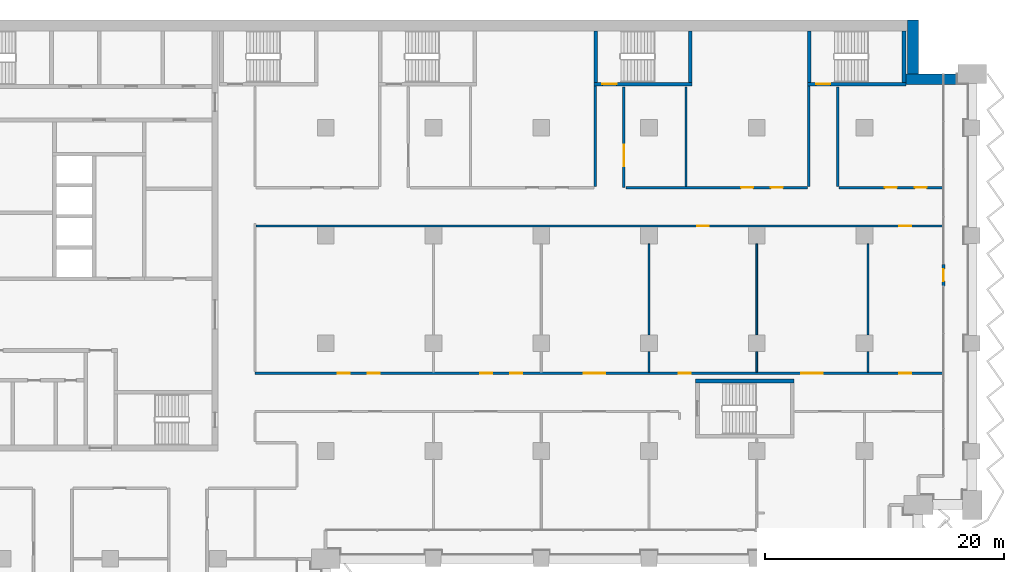
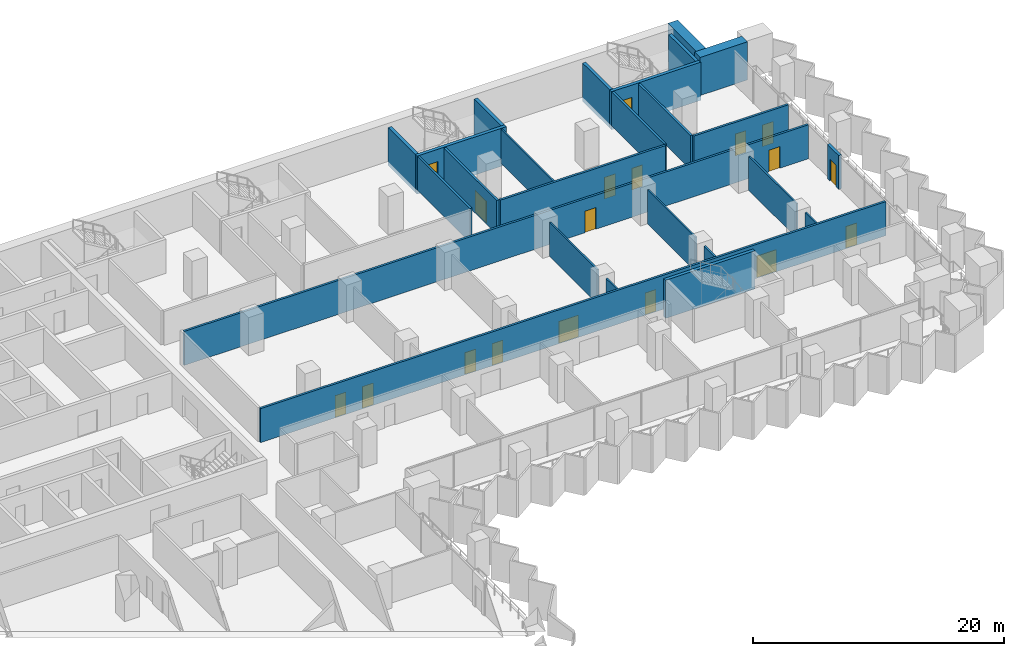
# One storey, part 18 of 28: 25 walls, 18 doors, 18 openings.
"""IFC4 building model written with IfcOpenShell, lengths in metres."""

from ifc_helpers import new_model, si_unit, direction, frame, frame_2d, origin, place, context, subcontext, project, spatial, rectangle, extrude, material, layer, layer_set, type_object, element, fill, save


model = new_model("IFC4")

# Units and contexts
model_context = context("Model", 3, precision=1e-05, world=origin(), true_north=direction((0.0, 1.0)))
body_context = subcontext(model_context, "Body", "Model", "MODEL_VIEW")
ifc_project = project(units=[si_unit("LENGTHUNIT", "METRE"), si_unit("AREAUNIT", "SQUARE_METRE"), si_unit("VOLUMEUNIT", "CUBIC_METRE"), si_unit("PLANEANGLEUNIT", "RADIAN"), si_unit("MASSUNIT", "GRAM", prefix="KILO")], contexts=[model_context])

# Site, building, storey
site_placement = place(None, origin())
site = spatial("IfcSite", under=ifc_project, at=site_placement, CompositionType="ELEMENT")
building_placement = place(site_placement, origin())
building = spatial("IfcBuilding", under=site, at=building_placement, Name="Hunhe Ridgeline Campus", CompositionType="ELEMENT")
storey_placement = place(building_placement, frame((0.0, 0.0, 61.699951171875)))
storey = spatial("IfcBuildingStorey", under=building, at=storey_placement, Name="L14", CompositionType="ELEMENT", Elevation=61.699951171875)

# Wall, openings, doors
ifc_material_1 = material(Name="Gypsum board partition")
ifc_layer_1 = layer(ifc_material_1, 0.199951171875)
ifc_layer_set_1 = layer_set([ifc_layer_1], Name="Corridor partition 200 gypsum board on steel studs")
wall_type_1 = type_object("IfcWallType", Name="Corridor partition 200 gypsum board on steel studs", PredefinedType="PARTITIONING", material=ifc_layer_set_1)
wall_1_placement = place(storey_placement, frame((39.10009765625, 69.5, 0.0), z_axis=(0.0, 0.0, 1.0), x_axis=(1.0, 0.0, 0.0)))
wall_1 = element("IfcWall", 1, at=wall_1_placement, inside=storey, type_object=wall_type_1, Name="F-L14-wall-041", PredefinedType="PARTITIONING", context=body_context, shape_type="SweptSolid", body=[
    extrude(rectangle(XDim=57.44482421875, YDim=0.199951171875, at=frame_2d((28.722412109375, 0.0))), origin(), (0.0, 0.0, 1.0), 3.300048828125),
])
opening_1_placement = place(wall_1_placement, frame((6.900146484375, 0.0, 0.0)))
opening_1 = element("IfcOpeningElement", 2, at=opening_1_placement, cuts=wall_1, Name="Opening RD1-030", PredefinedType="OPENING", context=body_context, shape_type="SweptSolid", body=[
    extrude(rectangle(XDim=1.0, YDim=2.10009765625, at=frame_2d((0.5, 1.050048828125))), frame((0.0, 0.10009765625, 0.0), z_axis=(0.0, -1.0, 0.0), x_axis=(1.0, 0.0, 0.0)), (0.0, 0.0, 1.0), 0.199951171875),
])
opening_2_placement = place(wall_1_placement, frame((9.400146484375, 0.0, 0.0)))
opening_2 = element("IfcOpeningElement", 3, at=opening_2_placement, cuts=wall_1, Name="Opening RD1-031", PredefinedType="OPENING", context=body_context, shape_type="SweptSolid", body=[
    extrude(rectangle(XDim=1.0, YDim=2.10009765625, at=frame_2d((0.5, 1.050048828125))), frame((0.0, 0.10009765625, 0.0), z_axis=(0.0, -1.0, 0.0), x_axis=(1.0, 0.0, 0.0)), (0.0, 0.0, 1.0), 0.199951171875),
])
opening_3_placement = place(wall_1_placement, frame((18.815673828125, 0.0, 0.0)))
opening_3 = element("IfcOpeningElement", 4, at=opening_3_placement, cuts=wall_1, Name="Opening RD1-032", PredefinedType="OPENING", context=body_context, shape_type="SweptSolid", body=[
    extrude(rectangle(XDim=1.0, YDim=2.10009765625, at=frame_2d((0.5, 1.050048828125))), frame((0.0, 0.10009765625, 0.0), z_axis=(0.0, -1.0, 0.0), x_axis=(1.0, 0.0, 0.0)), (0.0, 0.0, 1.0), 0.199951171875),
])
opening_4_placement = place(wall_1_placement, frame((21.315673828125, 0.0, 0.0)))
opening_4 = element("IfcOpeningElement", 5, at=opening_4_placement, cuts=wall_1, Name="Opening RD1-033", PredefinedType="OPENING", context=body_context, shape_type="SweptSolid", body=[
    extrude(rectangle(XDim=1.0, YDim=2.10009765625, at=frame_2d((0.5, 1.050048828125))), frame((0.0, 0.10009765625, 0.0), z_axis=(0.0, -1.0, 0.0), x_axis=(1.0, 0.0, 0.0)), (0.0, 0.0, 1.0), 0.199951171875),
])
opening_5_placement = place(wall_1_placement, frame((27.4462890625, 0.0, 0.0)))
opening_5 = element("IfcOpeningElement", 6, at=opening_5_placement, cuts=wall_1, Name="Opening RD2-034", PredefinedType="OPENING", context=body_context, shape_type="SweptSolid", body=[
    extrude(rectangle(XDim=1.800048828125, YDim=2.10009765625, at=frame_2d((0.89990234375, 1.050048828125))), frame((0.0, 0.10009765625, 0.0), z_axis=(0.0, -1.0, 0.0), x_axis=(1.0, 0.0, 0.0)), (0.0, 0.0, 1.0), 0.199951171875),
])
opening_6_placement = place(wall_1_placement, frame((35.376953125, 0.0, 0.0)))
opening_6 = element("IfcOpeningElement", 7, at=opening_6_placement, cuts=wall_1, Name="Opening RD1-035", PredefinedType="OPENING", context=body_context, shape_type="SweptSolid", body=[
    extrude(rectangle(XDim=1.0, YDim=2.10009765625, at=frame_2d((0.5, 1.050048828125))), frame((0.0, 0.10009765625, 0.0), z_axis=(0.0, -1.0, 0.0), x_axis=(1.0, 0.0, 0.0)), (0.0, 0.0, 1.0), 0.199951171875),
])
opening_7_placement = place(wall_1_placement, frame((45.633056640625, 0.0, 0.0)))
opening_7 = element("IfcOpeningElement", 8, at=opening_7_placement, cuts=wall_1, Name="Opening RD2-036", PredefinedType="OPENING", context=body_context, shape_type="SweptSolid", body=[
    extrude(rectangle(XDim=1.800048828125, YDim=2.10009765625, at=frame_2d((0.89990234375, 1.050048828125))), frame((0.0, 0.10009765625, 0.0), z_axis=(0.0, -1.0, 0.0), x_axis=(1.0, 0.0, 0.0)), (0.0, 0.0, 1.0), 0.199951171875),
])
opening_8_placement = place(wall_1_placement, frame((53.809326171875, 0.0, 0.0)))
opening_8 = element("IfcOpeningElement", 9, at=opening_8_placement, cuts=wall_1, Name="Opening RD1-037", PredefinedType="OPENING", context=body_context, shape_type="SweptSolid", body=[
    extrude(rectangle(XDim=1.0, YDim=2.10009765625, at=frame_2d((0.5, 1.050048828125))), frame((0.0, 0.10009765625, 0.0), z_axis=(0.0, -1.0, 0.0), x_axis=(1.0, 0.0, 0.0)), (0.0, 0.0, 1.0), 0.199951171875),
])
ifc_material_2 = material(Name="Timber door leaf", Category="wood")
door_type_1 = type_object("IfcDoorType", Name="Double fire door 1800x2100 timber FD60", OperationType="DOUBLE_DOOR_SINGLE_SWING", PredefinedType="DOOR", material=ifc_material_2)
door_1_placement = place(opening_5_placement, origin())
door_1 = element("IfcDoor", 10, at=door_1_placement, inside=storey, type_object=door_type_1, Name="F-L14-door-034", OperationType="DOUBLE_DOOR_SINGLE_SWING", OverallHeight=2.10009765625, OverallWidth=1.800048828125, PredefinedType="DOOR", context=body_context, shape_type="SweptSolid", body=[
    extrude(rectangle(XDim=1.800048828125, YDim=2.10009765625, at=frame_2d((0.89990234375, 1.050048828125))), frame((0.0, 0.02490234375, 0.0), z_axis=(0.0, -1.0, 0.0), x_axis=(1.0, 0.0, 0.0)), (0.0, 0.0, 1.0), 0.050048828125),
])
fill(opening_5, door_1)
door_2_placement = place(opening_7_placement, origin())
door_2 = element("IfcDoor", 11, at=door_2_placement, inside=storey, type_object=door_type_1, Name="F-L14-door-036", OperationType="DOUBLE_DOOR_SINGLE_SWING", OverallHeight=2.10009765625, OverallWidth=1.800048828125, PredefinedType="DOOR", context=body_context, shape_type="SweptSolid", body=[
    extrude(rectangle(XDim=1.800048828125, YDim=2.10009765625, at=frame_2d((0.89990234375, 1.050048828125))), frame((0.0, 0.02490234375, 0.0), z_axis=(0.0, -1.0, 0.0), x_axis=(1.0, 0.0, 0.0)), (0.0, 0.0, 1.0), 0.050048828125),
])
fill(opening_7, door_2)
door_type_2 = type_object("IfcDoorType", Name="Single fire door 1000x2100 timber FD60", OperationType="NOTDEFINED", PredefinedType="DOOR", material=ifc_material_2)
door_3_placement = place(opening_1_placement, frame((1.0, 0.0, 0.0), z_axis=(0.0, 0.0, 1.0), x_axis=(-1.0, 0.0, 0.0)))
door_3 = element("IfcDoor", 12, at=door_3_placement, inside=storey, type_object=door_type_2, Name="F-L14-door-030", OperationType="SINGLE_SWING_LEFT", OverallHeight=2.10009765625, OverallWidth=1.0, PredefinedType="DOOR", context=body_context, shape_type="SweptSolid", body=[
    extrude(rectangle(XDim=1.0, YDim=2.10009765625, at=frame_2d((0.5, 1.050048828125))), frame((0.0, 0.02490234375, 0.0), z_axis=(0.0, -1.0, 0.0), x_axis=(1.0, 0.0, 0.0)), (0.0, 0.0, 1.0), 0.050048828125),
])
fill(opening_1, door_3)
door_4_placement = place(opening_2_placement, frame((1.0, 0.0, 0.0), z_axis=(0.0, 0.0, 1.0), x_axis=(-1.0, 0.0, 0.0)))
door_4 = element("IfcDoor", 13, at=door_4_placement, inside=storey, type_object=door_type_2, Name="F-L14-door-031", OperationType="SINGLE_SWING_LEFT", OverallHeight=2.10009765625, OverallWidth=1.0, PredefinedType="DOOR", context=body_context, shape_type="SweptSolid", body=[
    extrude(rectangle(XDim=1.0, YDim=2.10009765625, at=frame_2d((0.5, 1.050048828125))), frame((0.0, 0.02490234375, 0.0), z_axis=(0.0, -1.0, 0.0), x_axis=(1.0, 0.0, 0.0)), (0.0, 0.0, 1.0), 0.050048828125),
])
fill(opening_2, door_4)
door_5_placement = place(opening_3_placement, frame((1.0, 0.0, 0.0), z_axis=(0.0, 0.0, 1.0), x_axis=(-1.0, 0.0, 0.0)))
door_5 = element("IfcDoor", 14, at=door_5_placement, inside=storey, type_object=door_type_2, Name="F-L14-door-032", OperationType="SINGLE_SWING_LEFT", OverallHeight=2.10009765625, OverallWidth=1.0, PredefinedType="DOOR", context=body_context, shape_type="SweptSolid", body=[
    extrude(rectangle(XDim=1.0, YDim=2.10009765625, at=frame_2d((0.5, 1.050048828125))), frame((0.0, 0.02490234375, 0.0), z_axis=(0.0, -1.0, 0.0), x_axis=(1.0, 0.0, 0.0)), (0.0, 0.0, 1.0), 0.050048828125),
])
fill(opening_3, door_5)
door_6_placement = place(opening_4_placement, frame((1.0, 0.0, 0.0), z_axis=(0.0, 0.0, 1.0), x_axis=(-1.0, 0.0, 0.0)))
door_6 = element("IfcDoor", 15, at=door_6_placement, inside=storey, type_object=door_type_2, Name="F-L14-door-033", OperationType="SINGLE_SWING_LEFT", OverallHeight=2.10009765625, OverallWidth=1.0, PredefinedType="DOOR", context=body_context, shape_type="SweptSolid", body=[
    extrude(rectangle(XDim=1.0, YDim=2.10009765625, at=frame_2d((0.5, 1.050048828125))), frame((0.0, 0.02490234375, 0.0), z_axis=(0.0, -1.0, 0.0), x_axis=(1.0, 0.0, 0.0)), (0.0, 0.0, 1.0), 0.050048828125),
])
fill(opening_4, door_6)
door_7_placement = place(opening_6_placement, frame((1.0, 0.0, 0.0), z_axis=(0.0, 0.0, 1.0), x_axis=(-1.0, 0.0, 0.0)))
door_7 = element("IfcDoor", 16, at=door_7_placement, inside=storey, type_object=door_type_2, Name="F-L14-door-035", OperationType="SINGLE_SWING_RIGHT", OverallHeight=2.10009765625, OverallWidth=1.0, PredefinedType="DOOR", context=body_context, shape_type="SweptSolid", body=[
    extrude(rectangle(XDim=1.0, YDim=2.10009765625, at=frame_2d((0.5, 1.050048828125))), frame((0.0, 0.02490234375, 0.0), z_axis=(0.0, -1.0, 0.0), x_axis=(1.0, 0.0, 0.0)), (0.0, 0.0, 1.0), 0.050048828125),
])
fill(opening_6, door_7)
door_8_placement = place(opening_8_placement, frame((1.0, 0.0, 0.0), z_axis=(0.0, 0.0, 1.0), x_axis=(-1.0, 0.0, 0.0)))
door_8 = element("IfcDoor", 17, at=door_8_placement, inside=storey, type_object=door_type_2, Name="F-L14-door-037", OperationType="SINGLE_SWING_LEFT", OverallHeight=2.10009765625, OverallWidth=1.0, PredefinedType="DOOR", context=body_context, shape_type="SweptSolid", body=[
    extrude(rectangle(XDim=1.0, YDim=2.10009765625, at=frame_2d((0.5, 1.050048828125))), frame((0.0, 0.02490234375, 0.0), z_axis=(0.0, -1.0, 0.0), x_axis=(1.0, 0.0, 0.0)), (0.0, 0.0, 1.0), 0.050048828125),
])
fill(opening_8, door_8)

wall_2_placement = place(storey_placement, frame((96.544921875, 81.800048828125, 0.0), z_axis=(0.0, 0.0, 1.0), x_axis=(-1.0, 0.0, 0.0)))
wall_2 = element("IfcWall", 18, at=wall_2_placement, inside=storey, type_object=wall_type_1, Name="F-L14-wall-042", PredefinedType="PARTITIONING", context=body_context, shape_type="SweptSolid", body=[
    extrude(rectangle(XDim=57.344970703125, YDim=0.199951171875, at=frame_2d((28.67236328125, 0.0))), origin(), (0.0, 0.0, 1.0), 3.300048828125),
])
opening_9_placement = place(wall_2_placement, frame((19.533203125, 0.0, 0.0)))
opening_9 = element("IfcOpeningElement", 19, at=opening_9_placement, cuts=wall_2, Name="Opening RD1-038", PredefinedType="OPENING", context=body_context, shape_type="SweptSolid", body=[
    extrude(rectangle(XDim=1.0, YDim=2.10009765625, at=frame_2d((0.5, 1.050048828125))), frame((0.0, 0.10009765625, 0.0), z_axis=(0.0, -1.0, 0.0), x_axis=(1.0, 0.0, 0.0)), (0.0, 0.0, 1.0), 0.199951171875),
])
opening_10_placement = place(wall_2_placement, frame((2.630126953125, 0.0, 0.0)))
opening_10 = element("IfcOpeningElement", 20, at=opening_10_placement, cuts=wall_2, Name="Opening RD1-039", PredefinedType="OPENING", context=body_context, shape_type="SweptSolid", body=[
    extrude(rectangle(XDim=1.0, YDim=2.10009765625, at=frame_2d((0.5, 1.050048828125))), frame((0.0, 0.10009765625, 0.0), z_axis=(0.0, -1.0, 0.0), x_axis=(1.0, 0.0, 0.0)), (0.0, 0.0, 1.0), 0.199951171875),
])
door_9_placement = place(opening_9_placement, frame((1.0, 0.0, 0.0), z_axis=(0.0, 0.0, 1.0), x_axis=(-1.0, 0.0, 0.0)))
door_9 = element("IfcDoor", 21, at=door_9_placement, inside=storey, type_object=door_type_2, Name="F-L14-door-038", OperationType="SINGLE_SWING_LEFT", OverallHeight=2.10009765625, OverallWidth=1.0, PredefinedType="DOOR", context=body_context, shape_type="SweptSolid", body=[
    extrude(rectangle(XDim=1.0, YDim=2.10009765625, at=frame_2d((0.5, 1.050048828125))), frame((0.0, 0.02490234375, 0.0), z_axis=(0.0, -1.0, 0.0), x_axis=(1.0, 0.0, 0.0)), (0.0, 0.0, 1.0), 0.050048828125),
])
fill(opening_9, door_9)
door_10_placement = place(opening_10_placement, frame((1.0, 0.0, 0.0), z_axis=(0.0, 0.0, 1.0), x_axis=(-1.0, 0.0, 0.0)))
door_10 = element("IfcDoor", 22, at=door_10_placement, inside=storey, type_object=door_type_2, Name="F-L14-door-039", OperationType="SINGLE_SWING_RIGHT", OverallHeight=2.10009765625, OverallWidth=1.0, PredefinedType="DOOR", context=body_context, shape_type="SweptSolid", body=[
    extrude(rectangle(XDim=1.0, YDim=2.10009765625, at=frame_2d((0.5, 1.050048828125))), frame((0.0, 0.02490234375, 0.0), z_axis=(0.0, -1.0, 0.0), x_axis=(1.0, 0.0, 0.0)), (0.0, 0.0, 1.0), 0.050048828125),
])
fill(opening_10, door_10)

wall_3_placement = place(storey_placement, frame((70.0703125, 85.0, 0.0), z_axis=(0.0, 0.0, 1.0), x_axis=(1.0, 0.0, 0.0)))
wall_3 = element("IfcWall", 23, at=wall_3_placement, inside=storey, type_object=wall_type_1, Name="F-L14-wall-045", PredefinedType="PARTITIONING", context=body_context, shape_type="SweptSolid", body=[
    extrude(rectangle(XDim=15.1796875, YDim=0.199951171875, at=frame_2d((7.58984375, 0.0))), origin(), (0.0, 0.0, 1.0), 3.300048828125),
])
opening_11_placement = place(wall_3_placement, frame((9.619873046875, 0.0, 0.0)))
opening_11 = element("IfcOpeningElement", 24, at=opening_11_placement, cuts=wall_3, Name="Opening RD1-044", PredefinedType="OPENING", context=body_context, shape_type="SweptSolid", body=[
    extrude(rectangle(XDim=1.0, YDim=2.10009765625, at=frame_2d((0.5, 1.050048828125))), frame((0.0, 0.10009765625, 0.0), z_axis=(0.0, -1.0, 0.0), x_axis=(1.0, 0.0, 0.0)), (0.0, 0.0, 1.0), 0.199951171875),
])
opening_12_placement = place(wall_3_placement, frame((12.119873046875, 0.0, 0.0)))
opening_12 = element("IfcOpeningElement", 25, at=opening_12_placement, cuts=wall_3, Name="Opening RD1-045", PredefinedType="OPENING", context=body_context, shape_type="SweptSolid", body=[
    extrude(rectangle(XDim=1.0, YDim=2.10009765625, at=frame_2d((0.5, 1.050048828125))), frame((0.0, 0.10009765625, 0.0), z_axis=(0.0, -1.0, 0.0), x_axis=(1.0, 0.0, 0.0)), (0.0, 0.0, 1.0), 0.199951171875),
])
door_11_placement = place(opening_11_placement, frame((1.0, 0.0, 0.0), z_axis=(0.0, 0.0, 1.0), x_axis=(-1.0, 0.0, 0.0)))
door_11 = element("IfcDoor", 26, at=door_11_placement, inside=storey, type_object=door_type_2, Name="F-L14-door-044", OperationType="SINGLE_SWING_LEFT", OverallHeight=2.10009765625, OverallWidth=1.0, PredefinedType="DOOR", context=body_context, shape_type="SweptSolid", body=[
    extrude(rectangle(XDim=1.0, YDim=2.10009765625, at=frame_2d((0.5, 1.050048828125))), frame((0.0, 0.02490234375, 0.0), z_axis=(0.0, -1.0, 0.0), x_axis=(1.0, 0.0, 0.0)), (0.0, 0.0, 1.0), 0.050048828125),
])
fill(opening_11, door_11)
door_12_placement = place(opening_12_placement, frame((1.0, 0.0, 0.0), z_axis=(0.0, 0.0, 1.0), x_axis=(-1.0, 0.0, 0.0)))
door_12 = element("IfcDoor", 27, at=door_12_placement, inside=storey, type_object=door_type_2, Name="F-L14-door-045", OperationType="SINGLE_SWING_LEFT", OverallHeight=2.10009765625, OverallWidth=1.0, PredefinedType="DOOR", context=body_context, shape_type="SweptSolid", body=[
    extrude(rectangle(XDim=1.0, YDim=2.10009765625, at=frame_2d((0.5, 1.050048828125))), frame((0.0, 0.02490234375, 0.0), z_axis=(0.0, -1.0, 0.0), x_axis=(1.0, 0.0, 0.0)), (0.0, 0.0, 1.0), 0.050048828125),
])
fill(opening_12, door_12)

wall_4_placement = place(storey_placement, frame((87.85009765625, 85.0, 0.0), z_axis=(0.0, 0.0, 1.0), x_axis=(1.0, 0.0, 0.0)))
wall_4 = element("IfcWall", 28, at=wall_4_placement, inside=storey, type_object=wall_type_1, Name="F-L14-wall-046", PredefinedType="PARTITIONING", context=body_context, shape_type="SweptSolid", body=[
    extrude(rectangle(XDim=8.69482421875, YDim=0.199951171875, at=frame_2d((4.347412109375, 0.0))), origin(), (0.0, 0.0, 1.0), 3.300048828125),
])
opening_13_placement = place(wall_4_placement, frame((3.847412109375, 0.0, 0.0)))
opening_13 = element("IfcOpeningElement", 29, at=opening_13_placement, cuts=wall_4, Name="Opening RD1-046", PredefinedType="OPENING", context=body_context, shape_type="SweptSolid", body=[
    extrude(rectangle(XDim=1.0, YDim=2.10009765625, at=frame_2d((0.5, 1.050048828125))), frame((0.0, 0.10009765625, 0.0), z_axis=(0.0, -1.0, 0.0), x_axis=(1.0, 0.0, 0.0)), (0.0, 0.0, 1.0), 0.199951171875),
])
opening_14_placement = place(wall_4_placement, frame((6.347412109375, 0.0, 0.0)))
opening_14 = element("IfcOpeningElement", 30, at=opening_14_placement, cuts=wall_4, Name="Opening RD1-047", PredefinedType="OPENING", context=body_context, shape_type="SweptSolid", body=[
    extrude(rectangle(XDim=1.0, YDim=2.10009765625, at=frame_2d((0.5, 1.050048828125))), frame((0.0, 0.10009765625, 0.0), z_axis=(0.0, -1.0, 0.0), x_axis=(1.0, 0.0, 0.0)), (0.0, 0.0, 1.0), 0.199951171875),
])
door_13_placement = place(opening_13_placement, frame((1.0, 0.0, 0.0), z_axis=(0.0, 0.0, 1.0), x_axis=(-1.0, 0.0, 0.0)))
door_13 = element("IfcDoor", 31, at=door_13_placement, inside=storey, type_object=door_type_2, Name="F-L14-door-046", OperationType="SINGLE_SWING_LEFT", OverallHeight=2.10009765625, OverallWidth=1.0, PredefinedType="DOOR", context=body_context, shape_type="SweptSolid", body=[
    extrude(rectangle(XDim=1.0, YDim=2.10009765625, at=frame_2d((0.5, 1.050048828125))), frame((0.0, 0.02490234375, 0.0), z_axis=(0.0, -1.0, 0.0), x_axis=(1.0, 0.0, 0.0)), (0.0, 0.0, 1.0), 0.050048828125),
])
fill(opening_13, door_13)
door_14_placement = place(opening_14_placement, frame((1.0, 0.0, 0.0), z_axis=(0.0, 0.0, 1.0), x_axis=(-1.0, 0.0, 0.0)))
door_14 = element("IfcDoor", 32, at=door_14_placement, inside=storey, type_object=door_type_2, Name="F-L14-door-047", OperationType="SINGLE_SWING_LEFT", OverallHeight=2.10009765625, OverallWidth=1.0, PredefinedType="DOOR", context=body_context, shape_type="SweptSolid", body=[
    extrude(rectangle(XDim=1.0, YDim=2.10009765625, at=frame_2d((0.5, 1.050048828125))), frame((0.0, 0.02490234375, 0.0), z_axis=(0.0, -1.0, 0.0), x_axis=(1.0, 0.0, 0.0)), (0.0, 0.0, 1.0), 0.050048828125),
])
fill(opening_14, door_14)

# Wall
wall_5_placement = place(storey_placement, frame((67.5, 85.10009765625, 0.0), z_axis=(0.0, 0.0, 1.0), x_axis=(0.0, 1.0, 0.0)))
element("IfcWall", 33, at=wall_5_placement, inside=storey, type_object=wall_type_1, Name="F-L14-wall-077", PredefinedType="PARTITIONING", context=body_context, shape_type="SweptSolid", body=[
    extrude(rectangle(XDim=8.369873046875, YDim=0.199951171875, at=frame_2d((4.18505859375, 0.0))), origin(), (0.0, 0.0, 1.0), 3.300048828125),
])

# Wall, opening, door
wall_6_placement = place(storey_placement, frame((69.89990234375, 93.39599609375, 0.0), z_axis=(0.0, 0.0, 1.0), x_axis=(0.0, -1.0, 0.0)))
wall_6 = element("IfcWall", 34, at=wall_6_placement, inside=storey, type_object=wall_type_1, Name="F-L14-wall-078", PredefinedType="PARTITIONING", context=body_context, shape_type="SweptSolid", body=[
    extrude(rectangle(XDim=8.39599609375, YDim=0.199951171875, at=frame_2d((4.197998046875, 0.0))), origin(), (0.0, 0.0, 1.0), 3.300048828125),
])
opening_15_placement = place(wall_6_placement, frame((4.798095703125, 0.0, 0.0)))
opening_15 = element("IfcOpeningElement", 35, at=opening_15_placement, cuts=wall_6, Name="Opening RD2-049", PredefinedType="OPENING", context=body_context, shape_type="SweptSolid", body=[
    extrude(rectangle(XDim=1.800048828125, YDim=2.10009765625, at=frame_2d((0.89990234375, 1.050048828125))), frame((0.0, 0.10009765625, 0.0), z_axis=(0.0, -1.0, 0.0), x_axis=(1.0, 0.0, 0.0)), (0.0, 0.0, 1.0), 0.199951171875),
])
door_15_placement = place(opening_15_placement, origin())
door_15 = element("IfcDoor", 36, at=door_15_placement, inside=storey, type_object=door_type_1, Name="F-L14-door-049", OperationType="DOUBLE_DOOR_SINGLE_SWING", OverallHeight=2.10009765625, OverallWidth=1.800048828125, PredefinedType="DOOR", context=body_context, shape_type="SweptSolid", body=[
    extrude(rectangle(XDim=1.800048828125, YDim=2.10009765625, at=frame_2d((0.89990234375, 1.050048828125))), frame((0.0, 0.02490234375, 0.0), z_axis=(0.0, -1.0, 0.0), x_axis=(1.0, 0.0, 0.0)), (0.0, 0.0, 1.0), 0.050048828125),
])
fill(opening_15, door_15)

# Walls
wall_7_placement = place(storey_placement, frame((85.35009765625, 85.10009765625, 0.0), z_axis=(0.0, 0.0, 1.0), x_axis=(0.0, 1.0, 0.0)))
element("IfcWall", 37, at=wall_7_placement, inside=storey, type_object=wall_type_1, Name="F-L14-wall-090", PredefinedType="PARTITIONING", context=body_context, shape_type="SweptSolid", body=[
    extrude(rectangle(XDim=8.369873046875, YDim=0.199951171875, at=frame_2d((4.18505859375, 0.0))), origin(), (0.0, 0.0, 1.0), 3.300048828125),
])
wall_8_placement = place(storey_placement, frame((87.75, 93.39599609375, 0.0), z_axis=(0.0, 0.0, 1.0), x_axis=(0.0, -1.0, 0.0)))
element("IfcWall", 38, at=wall_8_placement, inside=storey, type_object=wall_type_1, Name="F-L14-wall-091", PredefinedType="PARTITIONING", context=body_context, shape_type="SweptSolid", body=[
    extrude(rectangle(XDim=8.2958984375, YDim=0.199951171875, at=frame_2d((4.14794921875, 0.0))), origin(), (0.0, 0.0, 1.0), 3.300048828125),
])

# Wall, opening, door
ifc_material_3 = material(Name="Concrete C30", Category="concrete")
ifc_layer_2 = layer(ifc_material_3, 0.25)
ifc_layer_set_2 = layer_set([ifc_layer_2], Name="Loggia door pier wall 250 Concrete C30")
wall_type_2 = type_object("IfcWallType", Name="Loggia door pier wall 250 Concrete C30", PredefinedType="SOLIDWALL", material=ifc_layer_set_2)
wall_9_placement = place(storey_placement, frame((96.59912109375, 76.800537109375, 0.0), z_axis=(0.0, 0.0, 1.0), x_axis=(0.0, 1.0, 0.0)))
wall_9 = element("IfcWall", 39, at=wall_9_placement, inside=storey, type_object=wall_type_2, Name="Loggia door pier 5", PredefinedType="SOLIDWALL", context=body_context, shape_type="SweptSolid", body=[
    extrude(rectangle(XDim=1.800048828125, YDim=0.25, at=frame_2d((0.89990234375, 0.0))), origin(), (0.0, 0.0, 1.0), 3.300048828125),
])
opening_16_placement = place(wall_9_placement, frame((0.39990234375, 0.0, 0.0)))
opening_16 = element("IfcOpeningElement", 40, at=opening_16_placement, cuts=wall_9, Name="Opening BD108", PredefinedType="OPENING", context=body_context, shape_type="SweptSolid", body=[
    extrude(rectangle(XDim=1.0, YDim=2.10009765625, at=frame_2d((0.5, 1.050048828125))), frame((0.0, 0.125, 0.0), z_axis=(0.0, -1.0, 0.0), x_axis=(1.0, 0.0, 0.0)), (0.0, 0.0, 1.0), 0.25),
])
ifc_material_4 = material(Name="Aluminium 6063", Category="aluminium")
door_type_3 = type_object("IfcDoorType", Name="Loggia glazed door 1000x2100", OperationType="NOTDEFINED", PredefinedType="DOOR", material=ifc_material_4)
door_16_placement = place(opening_16_placement, frame((1.0, 0.0, 0.0), z_axis=(0.0, 0.0, 1.0), x_axis=(-1.0, 0.0, 0.0)))
door_16 = element("IfcDoor", 41, at=door_16_placement, inside=storey, type_object=door_type_3, Name="Loggia door BD108", OperationType="SINGLE_SWING_LEFT", OverallHeight=2.10009765625, OverallWidth=1.0, PredefinedType="DOOR", context=body_context, shape_type="SweptSolid", body=[
    extrude(rectangle(XDim=1.0, YDim=2.10009765625, at=frame_2d((0.5, 1.050048828125))), frame((0.0, 0.02490234375, 0.0), z_axis=(0.0, -1.0, 0.0), x_axis=(1.0, 0.0, 0.0)), (0.0, 0.0, 1.0), 0.050048828125),
])
fill(opening_16, door_16)

# Walls
ifc_layer_3 = layer(ifc_material_1, 0.14990234375)
ifc_layer_set_3 = layer_set([ifc_layer_3], Name="Room partition 150 gypsum board on steel studs")
wall_type_3 = type_object("IfcWallType", Name="Room partition 150 gypsum board on steel studs", PredefinedType="PARTITIONING", material=ifc_layer_set_3)
wall_10_placement = place(storey_placement, frame((72.0, 71.300048828125, 0.0), z_axis=(0.0, 0.0, 1.0), x_axis=(0.0, -1.0, 0.0)))
element("IfcWall", 42, at=wall_10_placement, inside=storey, type_object=wall_type_3, Name="F-L14-wall-081", PredefinedType="PARTITIONING", context=body_context, shape_type="SweptSolid", body=[
    extrude(rectangle(XDim=1.699951171875, YDim=0.14990234375, at=frame_2d((0.85009765625, 0.0))), origin(), (0.0, 0.0, 1.0), 3.300048828125),
])
wall_11_placement = place(storey_placement, frame((72.0, 80.300048828125, 0.0), z_axis=(0.0, 0.0, 1.0), x_axis=(0.0, -1.0, 0.0)))
element("IfcWall", 43, at=wall_11_placement, inside=storey, type_object=wall_type_3, Name="F-L14-wall-082", PredefinedType="PARTITIONING", context=body_context, shape_type="SweptSolid", body=[
    extrude(rectangle(XDim=7.60009765625, YDim=0.14990234375, at=frame_2d((3.800048828125, 0.0))), origin(), (0.0, 0.0, 1.0), 3.300048828125),
])
wall_12_placement = place(storey_placement, frame((75.10009765625, 93.39599609375, 0.0), z_axis=(0.0, 0.0, 1.0), x_axis=(0.0, -1.0, 0.0)))
element("IfcWall", 44, at=wall_12_placement, inside=storey, type_object=wall_type_3, Name="F-L14-wall-084", PredefinedType="PARTITIONING", context=body_context, shape_type="SweptSolid", body=[
    extrude(rectangle(XDim=8.2958984375, YDim=0.14990234375, at=frame_2d((4.14794921875, 0.0))), origin(), (0.0, 0.0, 1.0), 3.300048828125),
])
wall_13_placement = place(storey_placement, frame((81.0, 71.300048828125, 0.0), z_axis=(0.0, 0.0, 1.0), x_axis=(0.0, -1.0, 0.0)))
element("IfcWall", 45, at=wall_13_placement, inside=storey, type_object=wall_type_3, Name="F-L14-wall-088", PredefinedType="PARTITIONING", context=body_context, shape_type="SweptSolid", body=[
    extrude(rectangle(XDim=1.699951171875, YDim=0.14990234375, at=frame_2d((0.85009765625, 0.0))), origin(), (0.0, 0.0, 1.0), 3.300048828125),
])
wall_14_placement = place(storey_placement, frame((81.0, 80.300048828125, 0.0), z_axis=(0.0, 0.0, 1.0), x_axis=(0.0, -1.0, 0.0)))
element("IfcWall", 46, at=wall_14_placement, inside=storey, type_object=wall_type_3, Name="F-L14-wall-089", PredefinedType="PARTITIONING", context=body_context, shape_type="SweptSolid", body=[
    extrude(rectangle(XDim=7.60009765625, YDim=0.14990234375, at=frame_2d((3.800048828125, 0.0))), origin(), (0.0, 0.0, 1.0), 3.300048828125),
])
wall_15_placement = place(storey_placement, frame((90.300048828125, 71.300048828125, 0.0), z_axis=(0.0, 0.0, 1.0), x_axis=(0.0, -1.0, 0.0)))
element("IfcWall", 47, at=wall_15_placement, inside=storey, type_object=wall_type_3, Name="F-L14-wall-094", PredefinedType="PARTITIONING", context=body_context, shape_type="SweptSolid", body=[
    extrude(rectangle(XDim=1.699951171875, YDim=0.14990234375, at=frame_2d((0.85009765625, 0.0))), origin(), (0.0, 0.0, 1.0), 3.300048828125),
])
wall_16_placement = place(storey_placement, frame((90.300048828125, 80.300048828125, 0.0), z_axis=(0.0, 0.0, 1.0), x_axis=(0.0, -1.0, 0.0)))
element("IfcWall", 48, at=wall_16_placement, inside=storey, type_object=wall_type_3, Name="F-L14-wall-095", PredefinedType="PARTITIONING", context=body_context, shape_type="SweptSolid", body=[
    extrude(rectangle(XDim=7.60009765625, YDim=0.14990234375, at=frame_2d((3.800048828125, 0.0))), origin(), (0.0, 0.0, 1.0), 3.300048828125),
])
ifc_material_5 = material(Name="Concrete C80", Category="concrete")
ifc_layer_4 = layer(ifc_material_5, 0.89990234375)
ifc_layer_set_4 = layer_set([ifc_layer_4], Name="Spine wall 900 Concrete C80")
wall_type_4 = type_object("IfcWallType", Name="Spine wall 900 Concrete C80", PredefinedType="SHEAR", material=ifc_layer_set_4)
wall_17_placement = place(storey_placement, frame((97.800048828125, 94.050048828125, 0.0), z_axis=(0.0, 0.0, 1.0), x_axis=(-1.0, 0.0, 0.0)))
element("IfcWall", 49, at=wall_17_placement, inside=storey, type_object=wall_type_4, Name="Spine wall SW1-2 L14", PredefinedType="SHEAR", context=body_context, shape_type="SweptSolid", body=[
    extrude(rectangle(XDim=4.3505859375, YDim=0.89990234375, at=frame_2d((2.17529296875, 0.0))), origin(), (0.0, 0.0, 1.0), 3.699951171875),
])
wall_18_placement = place(storey_placement, frame((94.050048828125, 93.60009765625, 0.0), z_axis=(0.0, 0.0, 1.0), x_axis=(0.0, 1.0, 0.0)))
element("IfcWall", 50, at=wall_18_placement, inside=storey, type_object=wall_type_4, Name="Spine wall SW1-3 L14", PredefinedType="SHEAR", context=body_context, shape_type="SweptSolid", body=[
    extrude(rectangle(XDim=5.39990234375, YDim=0.89990234375, at=frame_2d((2.699951171875, 0.0))), origin(), (0.0, 0.0, 1.0), 3.699951171875),
])
ifc_layer_5 = layer(ifc_material_5, 0.300048828125)
ifc_layer_set_5 = layer_set([ifc_layer_5], Name="Stair wall 300 reinforced concrete C80")
wall_type_5 = type_object("IfcWallType", Name="Stair wall 300 reinforced concrete C80", PredefinedType="SOLIDWALL", material=ifc_layer_set_5)
wall_19_placement = place(storey_placement, frame((75.89990234375, 68.85009765625, -0.39990234375), z_axis=(0.0, 0.0, 1.0), x_axis=(1.0, 0.0, 0.0)))
element("IfcWall", 51, at=wall_19_placement, inside=storey, type_object=wall_type_5, Name="L14 core wall 10", PredefinedType="SOLIDWALL", context=body_context, shape_type="SweptSolid", body=[
    extrude(rectangle(XDim=8.2001953125, YDim=0.300048828125, at=frame_2d((4.10009765625, 0.0))), origin(), (0.0, 0.0, 1.0), 3.699951171875),
])

# Wall, opening, door
wall_20_placement = place(storey_placement, frame((67.39990234375, 93.64990234375, -0.39990234375), z_axis=(0.0, 0.0, 1.0), x_axis=(1.0, 0.0, 0.0)))
wall_20 = element("IfcWall", 52, at=wall_20_placement, inside=storey, type_object=wall_type_5, Name="L14 core wall 33", PredefinedType="SOLIDWALL", context=body_context, shape_type="SweptSolid", body=[
    extrude(rectangle(XDim=8.2001953125, YDim=0.300048828125, at=frame_2d((4.10009765625, 0.0))), origin(), (0.0, 0.0, 1.0), 3.699951171875),
])
opening_17_placement = place(wall_20_placement, frame((0.699951171875, 0.0, 0.39990234375)))
opening_17 = element("IfcOpeningElement", 53, at=opening_17_placement, cuts=wall_20, Name="Opening CD19", PredefinedType="OPENING", context=body_context, shape_type="SweptSolid", body=[
    extrude(rectangle(XDim=1.199951171875, YDim=2.10009765625, at=frame_2d((0.60009765625, 1.050048828125))), frame((0.0, 0.14990234375, 0.0), z_axis=(0.0, -1.0, 0.0), x_axis=(1.0, 0.0, 0.0)), (0.0, 0.0, 1.0), 0.300048828125),
])
ifc_material_6 = material(Name="Hollow metal fire door leaf")
door_type_4 = type_object("IfcDoorType", Name="Stair door 1200x2100 FD60", OperationType="SINGLE_SWING_LEFT", PredefinedType="DOOR", material=ifc_material_6)
door_17_placement = place(opening_17_placement, frame((1.199951171875, 0.0, 0.0), z_axis=(0.0, 0.0, 1.0), x_axis=(-1.0, 0.0, 0.0)))
door_17 = element("IfcDoor", 54, at=door_17_placement, inside=storey, type_object=door_type_4, Name="L14 door E3", OperationType="SINGLE_SWING_RIGHT", OverallHeight=2.10009765625, OverallWidth=1.199951171875, PredefinedType="DOOR", context=body_context, shape_type="SweptSolid", body=[
    extrude(rectangle(XDim=1.199951171875, YDim=2.10009765625, at=frame_2d((0.60009765625, 1.050048828125))), frame((0.0, 0.02490234375, 0.0), z_axis=(0.0, -1.0, 0.0), x_axis=(1.0, 0.0, 0.0)), (0.0, 0.0, 1.0), 0.050048828125),
])
fill(opening_17, door_17)

wall_21_placement = place(storey_placement, frame((85.25, 93.64990234375, -0.39990234375), z_axis=(0.0, 0.0, 1.0), x_axis=(1.0, 0.0, 0.0)))
wall_21 = element("IfcWall", 55, at=wall_21_placement, inside=storey, type_object=wall_type_5, Name="L14 core wall 34", PredefinedType="SOLIDWALL", context=body_context, shape_type="SweptSolid", body=[
    extrude(rectangle(XDim=8.199951171875, YDim=0.300048828125, at=frame_2d((4.10009765625, 0.0))), origin(), (0.0, 0.0, 1.0), 3.699951171875),
])
opening_18_placement = place(wall_21_placement, frame((0.699951171875, 0.0, 0.39990234375)))
opening_18 = element("IfcOpeningElement", 56, at=opening_18_placement, cuts=wall_21, Name="Opening CD20", PredefinedType="OPENING", context=body_context, shape_type="SweptSolid", body=[
    extrude(rectangle(XDim=1.199951171875, YDim=2.10009765625, at=frame_2d((0.60009765625, 1.050048828125))), frame((0.0, 0.14990234375, 0.0), z_axis=(0.0, -1.0, 0.0), x_axis=(1.0, 0.0, 0.0)), (0.0, 0.0, 1.0), 0.300048828125),
])
door_18_placement = place(opening_18_placement, frame((1.199951171875, 0.0, 0.0), z_axis=(0.0, 0.0, 1.0), x_axis=(-1.0, 0.0, 0.0)))
door_18 = element("IfcDoor", 57, at=door_18_placement, inside=storey, type_object=door_type_4, Name="L14 door E4", OperationType="SINGLE_SWING_LEFT", OverallHeight=2.10009765625, OverallWidth=1.199951171875, PredefinedType="DOOR", context=body_context, shape_type="SweptSolid", body=[
    extrude(rectangle(XDim=1.199951171875, YDim=2.10009765625, at=frame_2d((0.60009765625, 1.050048828125))), frame((0.0, 0.02490234375, 0.0), z_axis=(0.0, -1.0, 0.0), x_axis=(1.0, 0.0, 0.0)), (0.0, 0.0, 1.0), 0.050048828125),
])
fill(opening_18, door_18)

# Walls
for number, where, z_axis, x_axis, name in (
    (58, (67.550048828125, 93.800048828125, -0.39990234375), (0.0, 0.0, 1.0), (0.0, 1.0, 0.0), "L14 core wall 68"),
    (59, (75.449951171875, 93.800048828125, -0.39990234375), (0.0, 0.0, 1.0), (0.0, 1.0, 0.0), "L14 core wall 69"),
    (60, (85.39990234375, 93.800048828125, -0.39990234375), (0.0, 0.0, 1.0), (0.0, 1.0, 0.0), "L14 core wall 72"),
    (61, (93.300048828125, 93.800048828125, -0.39990234375), (0.0, 0.0, 1.0), (0.0, 1.0, 0.0), "L14 core wall 73"),
):
    element("IfcWall", number, at=place(storey_placement, frame(where, z_axis=z_axis, x_axis=x_axis)), inside=storey, type_object=wall_type_5, Name=name, PredefinedType="SOLIDWALL", context=body_context, shape_type="SweptSolid", body=[
        extrude(rectangle(XDim=4.300048828125, YDim=0.300048828125, at=frame_2d((2.14990234375, 0.0))), origin(), (0.0, 0.0, 1.0), 3.699951171875),
    ])

save(model, "model.ifc")
